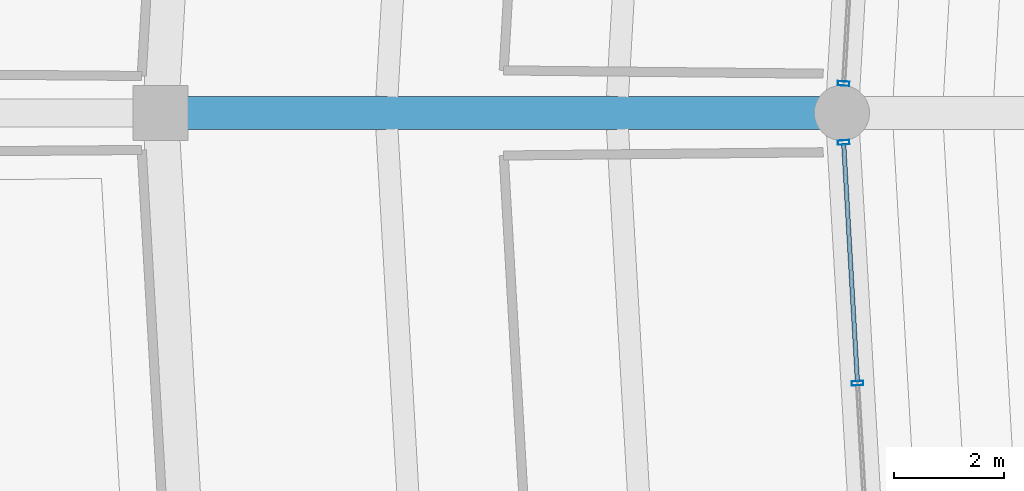
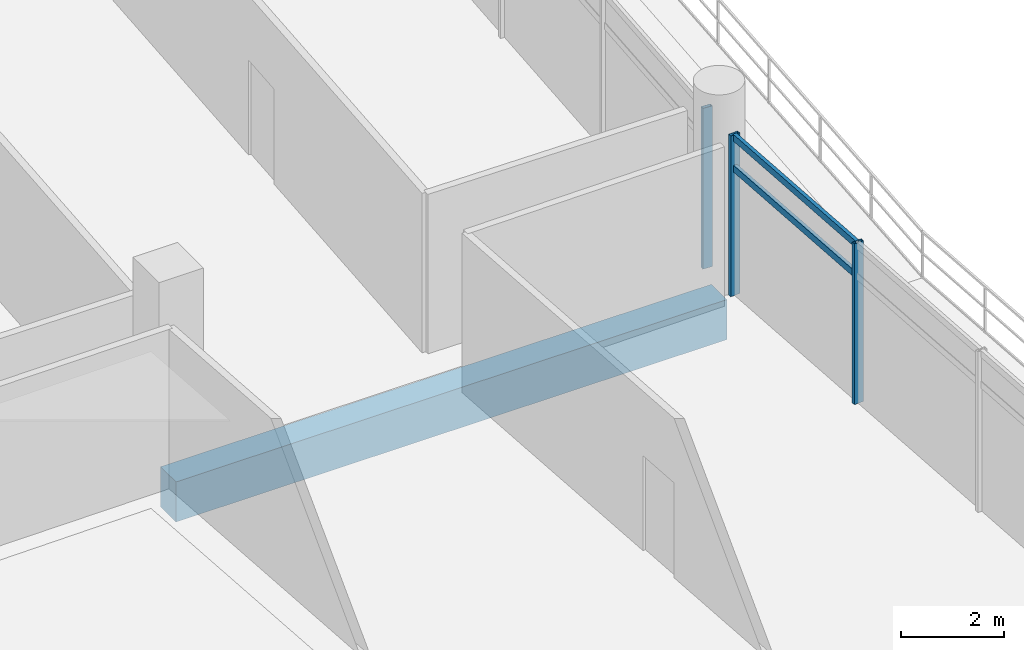
# One storey, part 36 of 171: 5 members, 1 beam, 2 elements without a shape of their own.
"""IFC4 building model written with IfcOpenShell, lengths in metres."""

from ifc_helpers import new_model, si_unit, direction, frame, origin, origin_2d, place, context, subcontext, project, spatial, rectangle, hollow_rectangle, extrude, material, layer, layer_set, material_profile, profile_set, type_object, element, aggregate, save


model = new_model("IFC4")

# Units and contexts
model_context = context("Model", 3, precision=1e-05, world=origin(), true_north=direction((0.0, 1.0)))
body_context = subcontext(model_context, "Body", "Model", "MODEL_VIEW")
ifc_project = project(units=[si_unit("LENGTHUNIT", "METRE"), si_unit("AREAUNIT", "SQUARE_METRE"), si_unit("VOLUMEUNIT", "CUBIC_METRE"), si_unit("PLANEANGLEUNIT", "RADIAN"), si_unit("MASSUNIT", "GRAM", prefix="KILO")], contexts=[model_context])

# Site, building, storey
site_placement = place(None, origin())
site = spatial("IfcSite", under=ifc_project, at=site_placement, CompositionType="ELEMENT")
building_placement = place(site_placement, origin())
building = spatial("IfcBuilding", under=site, at=building_placement, Name="Kazemori Nagisa Stadium", CompositionType="ELEMENT")
storey_placement = place(building_placement, frame((0.0, 0.0, 15.639892578125)))
storey = spatial("IfcBuildingStorey", under=building, at=storey_placement, Name="L03", CompositionType="ELEMENT", Elevation=15.639892578125)

# Beam
ifc_material_1 = material(Name="Concrete C40/50 (Fc42)", Category="concrete")
ifc_material_profile_1 = material_profile(ifc_material_1, rectangle(XDim=0.60009765625, YDim=0.949951171875, at=origin_2d()), Name="RC-BM-600x950")
ifc_profile_set_1 = profile_set([ifc_material_profile_1], Name="Concrete C40/50 (Fc42)")
beam_type = type_object("IfcBeamType", Name="Beam_BG-RC600X950", PredefinedType="BEAM", material=ifc_profile_set_1)
beam_placement = place(storey_placement, frame((53.64990234375, 102.0, -0.73486328125), z_axis=(-1.0, 0.0, 0.0), x_axis=(0.0, -1.0, 0.0)))
element("IfcBeam", 1, at=beam_placement, inside=storey, type_object=beam_type, Name="Radial girder BG-RC600X950 L03 R1-R2-15", PredefinedType="BEAM", context=body_context, shape_type="SweptSolid", body=[
    extrude(rectangle(XDim=0.60009765625, YDim=0.949951171875, at=origin_2d()), origin(), (0.0, 0.0, 1.0), 12.349853515625),
])

# Curtain wall, member
ifc_material_2 = material(Name="Anodised aluminium 6063-T5", Category="aluminium")
ifc_layer = layer(ifc_material_2, 0.2099609375, Name="Anodised aluminium 6063-T5", Category="aluminium")
ifc_layer_set = layer_set([ifc_layer], Name="Anodised aluminium 6063-T5")
curtain_wall_type = type_object("IfcCurtainWallType", Name="CW_L03B_66", PredefinedType="USERDEFINED", material=ifc_layer_set)
curtain_wall_1_placement = place(storey_placement, origin())
curtain_wall_1 = element("IfcCurtainWall", 2, at=curtain_wall_1_placement, inside=storey, type_object=curtain_wall_type, Name="Unitised curtain wall CW-L03B-66 L03", ObjectType="UNITISED CURTAIN WALL", PredefinedType="USERDEFINED")
ifc_material_3 = material(Name="Aluminium 6063-T5 anodised", Category="aluminium")
ifc_material_profile_2 = material_profile(ifc_material_3, hollow_rectangle(XDim=0.080078125, YDim=0.2099609375, WallThickness=0.0048828125, at=origin_2d()), Name="ALU-MULL-80x210x5")
ifc_profile_set_2 = profile_set([ifc_material_profile_2], Name="Aluminium 6063-T5 anodised")
member_type_1 = type_object("IfcMemberType", Name="Mullion_M02", PredefinedType="MULLION", material=ifc_profile_set_2)
member_1_placement = place(storey_placement, frame((53.680908203125, 102.5341796875, 0.0), z_axis=(0.0, 0.0, 1.0), x_axis=(-0.057601670941, -0.998339645364, 0.0)))
member_1 = element("IfcMember", 3, at=member_1_placement, type_object=member_type_1, Name="Curtain wall mullion CW-L03B-66-M4", PredefinedType="MULLION", context=body_context, shape_type="SweptSolid", body=[
    extrude(hollow_rectangle(XDim=0.080078125, YDim=0.2099609375, WallThickness=0.0048828125, at=origin_2d()), origin(), (0.0, 0.0, 1.0), 3.81005859375),
])
aggregate(curtain_wall_1, [member_1])

# Curtain wall, members
curtain_wall_2_placement = place(storey_placement, origin())
curtain_wall_2 = element("IfcCurtainWall", 4, at=curtain_wall_2_placement, inside=storey, type_object=curtain_wall_type, Name="Unitised curtain wall CW-L03B-66 L03", ObjectType="UNITISED CURTAIN WALL", PredefinedType="USERDEFINED")
member_2_placement = place(storey_placement, frame((53.680908203125, 101.4658203125, 0.0), z_axis=(0.0, 0.0, 1.0), x_axis=(0.057601670941, -0.998339645364, 0.0)))
member_2 = element("IfcMember", 5, at=member_2_placement, type_object=member_type_1, Name="Curtain wall mullion CW-L03B-66-M1", PredefinedType="MULLION", context=body_context, shape_type="SweptSolid", body=[
    extrude(hollow_rectangle(XDim=0.080078125, YDim=0.2099609375, WallThickness=0.0048828125, at=origin_2d()), origin(), (0.0, 0.0, 1.0), 3.81005859375),
])
member_3_placement = place(storey_placement, frame((53.9326171875, 97.101806640625, 0.0), z_axis=(0.0, 0.0, 1.0), x_axis=(0.057601670941, -0.998339645364, 0.0)))
member_3 = element("IfcMember", 6, at=member_3_placement, type_object=member_type_1, Name="Curtain wall mullion CW-L03B-66-M2", PredefinedType="MULLION", context=body_context, shape_type="SweptSolid", body=[
    extrude(hollow_rectangle(XDim=0.080078125, YDim=0.2099609375, WallThickness=0.0048828125, at=origin_2d()), origin(), (0.0, 0.0, 1.0), 3.81005859375),
])
ifc_material_profile_3 = material_profile(ifc_material_3, hollow_rectangle(XDim=0.080078125, YDim=0.159912109375, WallThickness=0.00390625, at=origin_2d()), Name="ALU-TRAN-80x160x4")
ifc_profile_set_3 = profile_set([ifc_material_profile_3], Name="Aluminium 6063-T5 anodised")
member_type_2 = type_object("IfcMemberType", Name="Transom_T02", PredefinedType="USERDEFINED", material=ifc_profile_set_3)
member_4_placement = place(storey_placement, frame((53.681884765625, 101.44580078125, 3.010009765625), z_axis=(0.057608419603, -0.99833925596, 0.0), x_axis=(0.99833925596, 0.057608419603, 0.0)))
member_4 = element("IfcMember", 7, at=member_4_placement, type_object=member_type_2, Name="Curtain wall transom CW-L03B-66-T1-mid", ObjectType="TRANSOM", PredefinedType="USERDEFINED", context=body_context, shape_type="SweptSolid", body=[
    extrude(hollow_rectangle(XDim=0.080078125, YDim=0.159912109375, WallThickness=0.00390625, at=origin_2d()), origin(), (0.0, 0.0, 1.0), 4.3310546875),
])
member_5_placement = place(storey_placement, frame((53.681884765625, 101.44580078125, 3.739990234375), z_axis=(0.057608419603, -0.99833925596, 0.0), x_axis=(0.99833925596, 0.057608419603, 0.0)))
member_5 = element("IfcMember", 8, at=member_5_placement, type_object=member_type_2, Name="Curtain wall transom CW-L03B-66-T1-head", ObjectType="TRANSOM", PredefinedType="USERDEFINED", context=body_context, shape_type="SweptSolid", body=[
    extrude(hollow_rectangle(XDim=0.080078125, YDim=0.159912109375, WallThickness=0.00390625, at=origin_2d()), origin(), (0.0, 0.0, 1.0), 4.3310546875),
])
aggregate(curtain_wall_2, [member_2, member_3, member_4, member_5])

save(model, "model.ifc")
